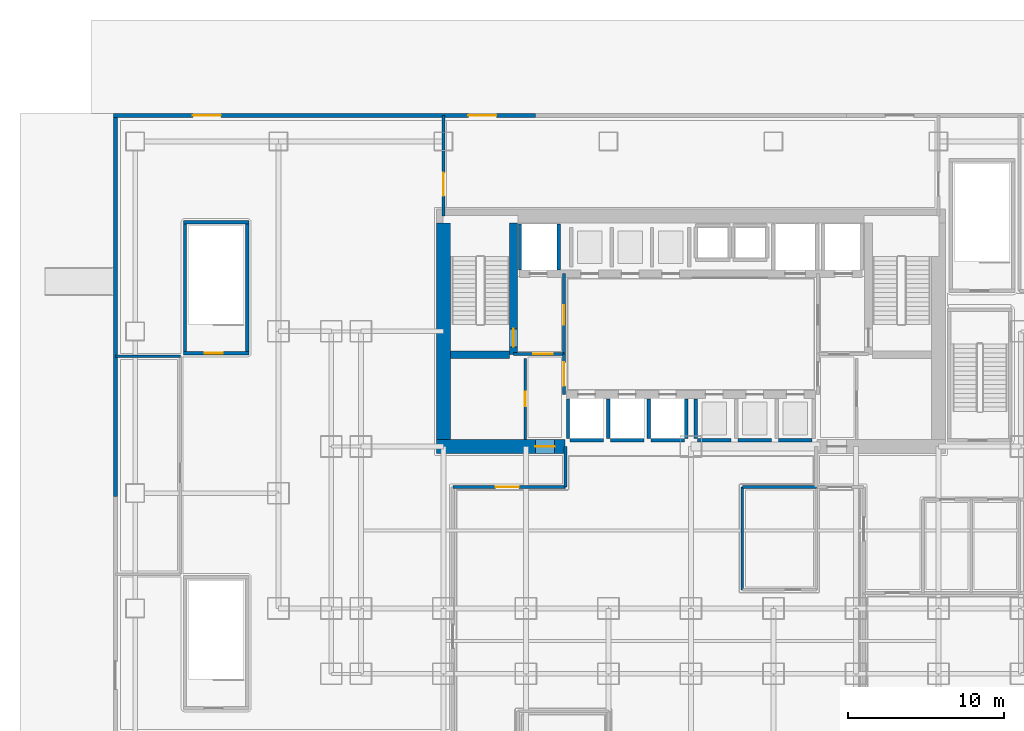
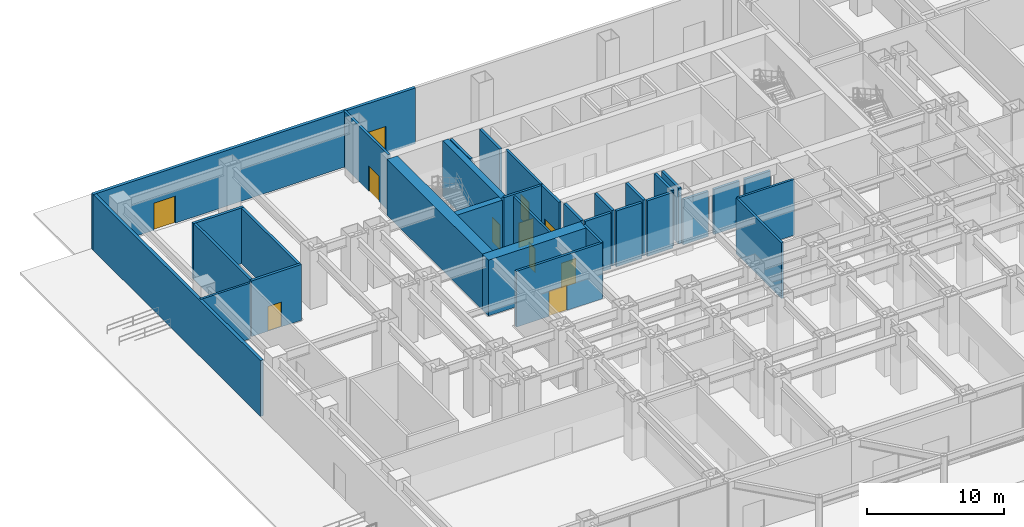
# One storey, part 11 of 18: 33 walls, 11 doors, 11 openings.
"""IFC4 building model written with IfcOpenShell, lengths in metres."""

import ifcopenshell
import ifcopenshell.guid

model = None  # the IFC model being written
_history = None  # IfcOwnerHistory: only IFC2X3 demands one
_inside = {}  # id of a spatial element -> (the spatial element, [elements in it])
_under = {}  # id of a project, library or spatial element -> (it, [spatial elements below it])
_declared = {}  # id of a project -> (the project, [libraries it declares])
_typed = {}  # id of a type object -> (the type object, [elements of that type])
_made_of = {}  # id of a material, layer set ... -> (it, [elements and type objects made of it])


def new_model(schema):
    """Start an empty IFC model of exactly this schema.

    Asked for "IFC4X3", IfcOpenShell would pick the latest addendum, in which some entities
    have other attributes; the version numbers below select the first issue.
    IFC2X3 requires an IfcOwnerHistory on every rooted entity: one is made here for all.
    """
    global model, _history
    if schema == "IFC4X3":
        model = ifcopenshell.file(schema_version=(4, 3, 0, 0))
    else:
        model = ifcopenshell.file(schema=schema)
    _inside.clear()
    _under.clear()
    _declared.clear()
    _typed.clear()
    _made_of.clear()
    _history = None
    if model.schema == "IFC2X3":
        org = make("IfcOrganization", Name="unknown")
        user = make(
            "IfcPersonAndOrganization",
            ThePerson=make("IfcPerson", FamilyName="unknown"),
            TheOrganization=org,
        )
        app = make(
            "IfcApplication",
            ApplicationDeveloper=org,
            Version="unknown",
            ApplicationFullName="unknown",
            ApplicationIdentifier="unknown",
        )
        _history = make(
            "IfcOwnerHistory",
            OwningUser=user,
            OwningApplication=app,
            ChangeAction="ADDED",
            CreationDate=0,
        )
    return model


def make(cls, **values):
    """One entity of the class cls with the attributes given. An attribute that is None is left unset."""
    return model.create_entity(
        cls, **{name: value for name, value in values.items() if value is not None}
    )


def rooted(cls, **values):
    """An entity with a GlobalId (a new one), such as an element, a storey or a relation."""
    return make(cls, GlobalId=ifcopenshell.guid.new(), OwnerHistory=_history, **values)


def si_unit(unit_type, name, prefix=None):
    """IfcSIUnit, for example si_unit("LENGTHUNIT", "METRE", prefix="MILLI")."""
    return make("IfcSIUnit", UnitType=unit_type, Prefix=prefix, Name=name)


def assignment(units):
    """IfcUnitAssignment: the units of a project."""
    return None if units is None else make("IfcUnitAssignment", Units=units)


def point(xyz):
    """IfcCartesianPoint."""
    return None if xyz is None else make("IfcCartesianPoint", Coordinates=xyz)


def direction(xyz):
    """IfcDirection."""
    return None if xyz is None else make("IfcDirection", DirectionRatios=xyz)


def frame(location, z_axis=None, x_axis=None):
    """IfcAxis2Placement3D, a coordinate frame: its origin and axes. An axis left out is left unset."""
    return make(
        "IfcAxis2Placement3D",
        Location=point(location),
        Axis=direction(z_axis),
        RefDirection=direction(x_axis),
    )


def frame_2d(location, x_axis=None):
    """IfcAxis2Placement2D, a coordinate frame in the plane: its origin and x axis."""
    return make(
        "IfcAxis2Placement2D", Location=point(location), RefDirection=direction(x_axis)
    )


def origin():
    """The frame at (0, 0, 0) with its axes left unset."""
    return frame((0.0, 0.0, 0.0))


def place(relative_to, where):
    """IfcLocalPlacement: puts the frame where relative to a parent placement (None: the world)."""
    return make(
        "IfcLocalPlacement", PlacementRelTo=relative_to, RelativePlacement=where
    )


def context(
    kind, dimensions, precision=None, world=None, true_north=None, identifier=None
):
    """IfcGeometricRepresentationContext, for example the 3D "Model" context."""
    return make(
        "IfcGeometricRepresentationContext",
        ContextIdentifier=identifier,
        ContextType=kind,
        CoordinateSpaceDimension=dimensions,
        Precision=precision,
        WorldCoordinateSystem=world,
        TrueNorth=true_north,
    )


def subcontext(parent, identifier, kind, view, scale=None):
    """IfcGeometricRepresentationSubContext, for example "Body" below "Model"."""
    return make(
        "IfcGeometricRepresentationSubContext",
        ContextIdentifier=identifier,
        ContextType=kind,
        ParentContext=parent,
        TargetScale=scale,
        TargetView=view,
    )


def project(units=None, contexts=None):
    """IfcProject with its units and contexts."""
    return rooted(
        "IfcProject",
        Name="project",
        RepresentationContexts=contexts,
        UnitsInContext=assignment(units),
    )


def spatial(cls, under=None, at=None, **own):
    """A site, building, storey or space (cls), placed at a placement, below another one or the project."""
    s = rooted(cls, ObjectPlacement=at, **own)
    if under is not None:
        _under.setdefault(under.id(), (under, []))[1].append(s)
    return s


def profile(cls, at=None, kind="AREA", **sizes):
    """A parametric profile (cls). Its sizes go by their IFC names, for example OverallWidth=200.0."""
    return make(cls, ProfileType=kind, Position=at, **sizes)


def rectangle(**sizes):
    """IfcRectangleProfileDef."""
    return profile("IfcRectangleProfileDef", **sizes)


def extrude(swept, where, along, depth):
    """IfcExtrudedAreaSolid: the profile swept, set in the frame where, extruded along a direction by depth."""
    return make(
        "IfcExtrudedAreaSolid",
        SweptArea=swept,
        Position=where,
        ExtrudedDirection=direction(along),
        Depth=depth,
    )


def shape(context_of_items, identifier, shape_type, items):
    """IfcShapeRepresentation: the items that make up one representation, for example the "Body"."""
    return make(
        "IfcShapeRepresentation",
        ContextOfItems=context_of_items,
        RepresentationIdentifier=identifier,
        RepresentationType=shape_type,
        Items=items,
    )


def material(Name=None, Category=None):
    """IfcMaterial."""
    return make("IfcMaterial", Name=Name, Category=Category)


def layer(
    of_material, thickness, ventilated=None, Name=None, Category=None, Priority=None
):
    """IfcMaterialLayer: one layer of a wall or slab, of a material (None: an air gap)."""
    return make(
        "IfcMaterialLayer",
        Material=of_material,
        LayerThickness=thickness,
        IsVentilated=ventilated,
        Name=Name,
        Category=Category,
        Priority=Priority,
    )


def layer_set(layers, Name=None):
    """IfcMaterialLayerSet."""
    return make("IfcMaterialLayerSet", MaterialLayers=layers, LayerSetName=Name)


def made_of(thing, what):
    """Note that an element or type object is made of a material, layer set ...; save() writes the relation."""
    if what is not None:
        _made_of.setdefault(what.id(), (what, []))[1].append(thing)
    return thing


def type_object(cls, material=None, **own):
    """A type object (cls), such as IfcWallType, which elements share."""
    return made_of(rooted(cls, **own), material)


def element(
    cls,
    number,
    at=None,
    inside=None,
    cuts=None,
    type_object=None,
    material=None,
    context=None,
    identifier="Body",
    shape_type=None,
    held_by="IfcProductDefinitionShape",
    body=None,
    shapes=None,
    **own,
):
    """One element of the class cls, such as IfcWall. Its Tag is "e" and its number.

    at: its placement. inside: the storey or other place that contains it. cuts: it is an
    opening in that element (IfcRelVoidsElement). A single representation is given by context,
    identifier, shape_type and body (its items); several are given by shapes. held_by: the class
    of the entity that holds the representations. save() writes the other relations.
    """
    e = rooted(cls, Tag="e%d" % number, ObjectPlacement=at, **own)
    if body is not None:
        shapes = [shape(context, identifier, shape_type, body)]
    if shapes is not None:
        e.Representation = make(held_by, Representations=shapes)
    if inside is not None:
        _inside.setdefault(inside.id(), (inside, []))[1].append(e)
    if cuts is not None:
        rooted(
            "IfcRelVoidsElement", RelatingBuildingElement=cuts, RelatedOpeningElement=e
        )
    if type_object is not None:
        _typed.setdefault(type_object.id(), (type_object, []))[1].append(e)
    return made_of(e, material)


def fill(opening, filler):
    """IfcRelFillsElement: the door or window that sits in an opening."""
    return rooted(
        "IfcRelFillsElement",
        RelatingOpeningElement=opening,
        RelatedBuildingElement=filler,
    )


def aggregate(whole, parts):
    """IfcRelAggregates: a whole, such as a stair, and the parts it consists of."""
    return rooted("IfcRelAggregates", RelatingObject=whole, RelatedObjects=parts)


def save(model, path):
    """Write the relations noted so far, then the file.

    IfcRelAggregates (storeys below a building ...), IfcRelContainedInSpatialStructure (elements
    in a storey), IfcRelDefinesByType, IfcRelAssociatesMaterial and IfcRelDeclares: one each for
    every whole, place, type object, material and project.
    """
    for whole, parts in _under.values():
        aggregate(whole, parts)
    for where, things in _inside.values():
        rooted(
            "IfcRelContainedInSpatialStructure",
            RelatedElements=things,
            RelatingStructure=where,
        )
    for kind, things in _typed.values():
        rooted("IfcRelDefinesByType", RelatedObjects=things, RelatingType=kind)
    for what, things in _made_of.values():
        rooted("IfcRelAssociatesMaterial", RelatedObjects=things, RelatingMaterial=what)
    for by, libraries in _declared.values():
        rooted("IfcRelDeclares", RelatingContext=by, RelatedDefinitions=libraries)
    model.write(path)


model = new_model("IFC4")

# Units and contexts
model_context = context("Model", 3, precision=1e-05, world=origin(), true_north=direction((0.0, 1.0)))
body_context = subcontext(model_context, "Body", "Model", "MODEL_VIEW")
ifc_project = project(units=[si_unit("LENGTHUNIT", "METRE"), si_unit("AREAUNIT", "SQUARE_METRE"), si_unit("VOLUMEUNIT", "CUBIC_METRE"), si_unit("PLANEANGLEUNIT", "RADIAN"), si_unit("MASSUNIT", "GRAM", prefix="KILO")], contexts=[model_context])

# Site, building, storey
site_placement = place(None, origin())
site = spatial("IfcSite", under=ifc_project, at=site_placement, CompositionType="ELEMENT")
building_placement = place(site_placement, origin())
building = spatial("IfcBuilding", under=site, at=building_placement, Name="Qianlan Lanfeng Residences", CompositionType="ELEMENT")
storey_placement = place(building_placement, origin())
storey = spatial("IfcBuildingStorey", under=building, at=storey_placement, Name="L00", CompositionType="ELEMENT", Elevation=0.0)

# Wall, opening, door
ifc_material_1 = material(Name="Concrete C70", Category="concrete")
ifc_layer_1 = layer(ifc_material_1, 0.5)
ifc_layer_set_1 = layer_set([ifc_layer_1], Name="Concrete C70")
wall_type_1 = type_object("IfcWallType", Name="CW-RC-500", PredefinedType="SHEAR", material=ifc_layer_set_1)
wall_1_placement = place(storey_placement, frame((15.10009765625, 31.10009765625, 0.0), z_axis=(0.0, 0.0, 1.0), x_axis=(0.0, 1.0, 0.0)))
wall_1 = element("IfcWall", 1, at=wall_1_placement, inside=storey, type_object=wall_type_1, Name="L00 Core Shear Wall ST1E", PredefinedType="SHEAR", context=body_context, shape_type="SweptSolid", body=[
    extrude(rectangle(XDim=8.449951171875, YDim=0.5, at=frame_2d((4.22509765625, 0.0))), origin(), (0.0, 0.0, 1.0), 4.949951171875),
])
opening_1_placement = place(wall_1_placement, frame((0.510009765625, 0.0, 0.0)))
opening_1 = element("IfcOpeningElement", 2, at=opening_1_placement, cuts=wall_1, Name="Opening L00-D07", PredefinedType="OPENING", context=body_context, shape_type="SweptSolid", body=[
    extrude(rectangle(XDim=1.14990234375, YDim=2.199951171875, at=frame_2d((0.574951171875, 1.10009765625))), frame((0.0, 0.260009765625, 0.0), z_axis=(0.0, -1.0, 0.0), x_axis=(1.0, 0.0, 0.0)), (0.0, 0.0, 1.0), 0.52001953125),
])
ifc_material_2 = material(Name="Painted Galvanised Steel Fire Door", Category="steel")
door_type_1 = type_object("IfcDoorType", Name="DT-ST1", OperationType="NOTDEFINED", PredefinedType="DOOR", material=ifc_material_2)
door_1_placement = place(opening_1_placement, frame((1.14990234375, 0.0, 0.0), z_axis=(0.0, 0.0, 1.0), x_axis=(-1.0, 0.0, 0.0)))
door_1 = element("IfcDoor", 3, at=door_1_placement, inside=storey, type_object=door_type_1, Name="L00 Exit Stair ST-1 Door L00-D07 (DT-ST1)", OperationType="SINGLE_SWING_RIGHT", OverallHeight=2.199951171875, OverallWidth=1.14990234375, PredefinedType="DOOR", context=body_context, shape_type="SweptSolid", body=[
    extrude(rectangle(XDim=1.14990234375, YDim=2.199951171875, at=frame_2d((0.574951171875, 1.10009765625))), frame((0.0, 0.02490234375, 0.0), z_axis=(0.0, -1.0, 0.0), x_axis=(1.0, 0.0, 0.0)), (0.0, 0.0, 1.0), 0.050048828125),
])
fill(opening_1, door_1)

# Walls
wall_2_placement = place(storey_placement, frame((11.050048828125, 31.10009765625, 0.0), z_axis=(0.0, 0.0, 1.0), x_axis=(1.0, 0.0, 0.0)))
element("IfcWall", 4, at=wall_2_placement, inside=storey, type_object=wall_type_1, Name="L00 Core Shear Wall ST1S", PredefinedType="SHEAR", context=body_context, shape_type="SweptSolid", body=[
    extrude(rectangle(XDim=3.800048828125, YDim=0.5, at=frame_2d((1.89990234375, 0.0))), origin(), (0.0, 0.0, 1.0), 4.949951171875),
])
ifc_layer_2 = layer(ifc_material_1, 0.89990234375)
ifc_layer_set_2 = layer_set([ifc_layer_2], Name="Concrete C70")
wall_type_2 = type_object("IfcWallType", Name="CW-RC-900", PredefinedType="SHEAR", material=ifc_layer_set_2)
wall_3_placement = place(storey_placement, frame((10.60009765625, 25.64990234375, 0.0), z_axis=(0.0, 0.0, 1.0), x_axis=(0.0, 1.0, 0.0)))
element("IfcWall", 5, at=wall_3_placement, inside=storey, type_object=wall_type_2, Name="L00 Core Shear Wall W", PredefinedType="SHEAR", context=body_context, shape_type="SweptSolid", body=[
    extrude(rectangle(XDim=13.900146484375, YDim=0.89990234375, at=frame_2d((6.9501953125, 0.0))), origin(), (0.0, 0.0, 1.0), 4.949951171875),
])

# Wall, opening, door
wall_4_placement = place(storey_placement, frame((10.14990234375, 25.199951171875, 0.0), z_axis=(0.0, 0.0, 1.0), x_axis=(1.0, 0.0, 0.0)))
wall_4 = element("IfcWall", 6, at=wall_4_placement, inside=storey, type_object=wall_type_2, Name="L00 Core Shear Wall SW", PredefinedType="SHEAR", context=body_context, shape_type="SweptSolid", body=[
    extrude(rectangle(XDim=8.25, YDim=0.89990234375, at=frame_2d((4.125, 0.0))), origin(), (0.0, 0.0, 1.0), 4.949951171875),
])
opening_2_placement = place(wall_4_placement, frame((6.35009765625, 0.0, 0.0)))
opening_2 = element("IfcOpeningElement", 7, at=opening_2_placement, cuts=wall_4, Name="Opening L00-D01", PredefinedType="OPENING", context=body_context, shape_type="SweptSolid", body=[
    extrude(rectangle(XDim=1.25, YDim=2.199951171875, at=frame_2d((0.625, 1.10009765625))), frame((0.0, 0.4599609375, 0.0), z_axis=(0.0, -1.0, 0.0), x_axis=(1.0, 0.0, 0.0)), (0.0, 0.0, 1.0), 0.919921875),
])
door_type_2 = type_object("IfcDoorType", Name="DT-FFL", OperationType="NOTDEFINED", PredefinedType="DOOR", material=ifc_material_2)
door_2_placement = place(opening_2_placement, frame((1.25, 0.0, 0.0), z_axis=(0.0, 0.0, 1.0), x_axis=(-1.0, 0.0, 0.0)))
door_2 = element("IfcDoor", 8, at=door_2_placement, inside=storey, type_object=door_type_2, Name="L00 West Core Lobby Smoke Door L00-D01 (DT-FFL)", OperationType="SINGLE_SWING_RIGHT", OverallHeight=2.199951171875, OverallWidth=1.25, PredefinedType="DOOR", context=body_context, shape_type="SweptSolid", body=[
    extrude(rectangle(XDim=1.25, YDim=2.199951171875, at=frame_2d((0.625, 1.10009765625))), frame((0.0, 0.02490234375, 0.0), z_axis=(0.0, -1.0, 0.0), x_axis=(1.0, 0.0, 0.0)), (0.0, 0.0, 1.0), 0.050048828125),
])
fill(opening_2, door_2)

# Wall, openings, doors
ifc_material_3 = material(Name="Concrete C42", Category="concrete")
ifc_layer_3 = layer(ifc_material_3, 0.260009765625)
ifc_layer_set_3 = layer_set([ifc_layer_3], Name="Concrete C42")
wall_type_3 = type_object("IfcWallType", Name="EW-260", PredefinedType="SOLIDWALL", material=ifc_layer_set_3)
wall_5_placement = place(storey_placement, frame((16.5, 46.469970703125, 0.0), z_axis=(0.0, 0.0, 1.0), x_axis=(-1.0, 0.0, 0.0)))
wall_5 = element("IfcWall", 9, at=wall_5_placement, inside=storey, type_object=wall_type_3, Name="L00 North-West Exit and Service Exterior Wall", PredefinedType="SOLIDWALL", context=body_context, shape_type="SweptSolid", body=[
    extrude(rectangle(XDim=27.10009765625, YDim=0.260009765625, at=frame_2d((13.550048828125, 0.0))), origin(), (0.0, 0.0, 1.0), 4.949951171875),
])
opening_3_placement = place(wall_5_placement, frame((2.5, 0.0, 0.0)))
opening_3 = element("IfcOpeningElement", 10, at=opening_3_placement, cuts=wall_5, Name="Opening L00-D-EX02", PredefinedType="OPENING", context=body_context, shape_type="SweptSolid", body=[
    extrude(rectangle(XDim=1.800048828125, YDim=2.39990234375, at=frame_2d((0.89990234375, 1.199951171875))), frame((0.0, 0.14013671875, 0.0), z_axis=(0.0, -1.0, 0.0), x_axis=(1.0, 0.0, 0.0)), (0.0, 0.0, 1.0), 0.280029296875),
])
opening_4_placement = place(wall_5_placement, frame((20.199951171875, 0.0, 0.0)))
opening_4 = element("IfcOpeningElement", 11, at=opening_4_placement, cuts=wall_5, Name="Opening L00-D-EX03", PredefinedType="OPENING", context=body_context, shape_type="SweptSolid", body=[
    extrude(rectangle(XDim=1.800048828125, YDim=2.39990234375, at=frame_2d((0.89990234375, 1.199951171875))), frame((0.0, 0.14013671875, 0.0), z_axis=(0.0, -1.0, 0.0), x_axis=(1.0, 0.0, 0.0)), (0.0, 0.0, 1.0), 0.280029296875),
])
ifc_material_4 = material(Name="Anodised Bronze Aluminium Framed Glass", Category="aluminium")
door_type_3 = type_object("IfcDoorType", Name="DT-EX1", OperationType="NOTDEFINED", PredefinedType="DOOR", material=ifc_material_4)
door_3_placement = place(opening_3_placement, frame((1.800048828125, 0.0, 0.0), z_axis=(0.0, 0.0, 1.0), x_axis=(-1.0, 0.0, 0.0)))
door_3 = element("IfcDoor", 12, at=door_3_placement, inside=storey, type_object=door_type_3, Name="L00 Exterior Door L00-D-EX02", OperationType="DOUBLE_DOOR_SINGLE_SWING", OverallHeight=2.39990234375, OverallWidth=1.800048828125, PredefinedType="DOOR", context=body_context, shape_type="SweptSolid", body=[
    extrude(rectangle(XDim=1.800048828125, YDim=2.39990234375, at=frame_2d((0.89990234375, 1.199951171875))), frame((0.0, 0.02490234375, 0.0), z_axis=(0.0, -1.0, 0.0), x_axis=(1.0, 0.0, 0.0)), (0.0, 0.0, 1.0), 0.050048828125),
])
fill(opening_3, door_3)
door_4_placement = place(opening_4_placement, frame((1.800048828125, 0.0, 0.0), z_axis=(0.0, 0.0, 1.0), x_axis=(-1.0, 0.0, 0.0)))
door_4 = element("IfcDoor", 13, at=door_4_placement, inside=storey, type_object=door_type_3, Name="L00 Exterior Door L00-D-EX03", OperationType="DOUBLE_DOOR_SINGLE_SWING", OverallHeight=2.39990234375, OverallWidth=1.800048828125, PredefinedType="DOOR", context=body_context, shape_type="SweptSolid", body=[
    extrude(rectangle(XDim=1.800048828125, YDim=2.39990234375, at=frame_2d((0.89990234375, 1.199951171875))), frame((0.0, 0.02490234375, 0.0), z_axis=(0.0, -1.0, 0.0), x_axis=(1.0, 0.0, 0.0)), (0.0, 0.0, 1.0), 0.050048828125),
])
fill(opening_4, door_4)

# Wall
wall_6_placement = place(storey_placement, frame((-10.469970703125, 46.340087890625, 0.0), z_axis=(0.0, 0.0, 1.0), x_axis=(0.0, -1.0, 0.0)))
element("IfcWall", 14, at=wall_6_placement, inside=storey, type_object=wall_type_3, Name="L00 West Service Flank Wall", PredefinedType="SOLIDWALL", context=body_context, shape_type="SweptSolid", body=[
    extrude(rectangle(XDim=24.340087890625, YDim=0.260009765625, at=frame_2d((12.169921875, 0.0))), origin(), (0.0, 0.0, 1.0), 4.949951171875),
])

# Wall, opening, door
ifc_material_5 = material(Name="Double-Layer Acoustic Gypsum Stud Wall 180 mm")
ifc_layer_4 = layer(ifc_material_5, 0.179931640625)
ifc_layer_set_4 = layer_set([ifc_layer_4], Name="Double-Layer Acoustic Gypsum Stud Wall 180 mm")
wall_type_4 = type_object("IfcWallType", Name="PW-180", PredefinedType="PARTITIONING", material=ifc_layer_set_4)
wall_7_placement = place(storey_placement, frame((15.85009765625, 25.64990234375, 0.0), z_axis=(0.0, 0.0, 1.0), x_axis=(0.0, 1.0, 0.0)))
wall_7 = element("IfcWall", 15, at=wall_7_placement, inside=storey, type_object=wall_type_4, Name="L00 Core West Service Room Wall", PredefinedType="PARTITIONING", context=body_context, shape_type="SweptSolid", body=[
    extrude(rectangle(XDim=5.2001953125, YDim=0.179931640625, at=frame_2d((2.60009765625, 0.0))), origin(), (0.0, 0.0, 1.0), 4.949951171875),
])
opening_5_placement = place(wall_7_placement, frame((2.139892578125, 0.0, 0.0)))
opening_5 = element("IfcOpeningElement", 16, at=opening_5_placement, cuts=wall_7, Name="Opening L00-D09", PredefinedType="OPENING", context=body_context, shape_type="SweptSolid", body=[
    extrude(rectangle(XDim=0.919921875, YDim=2.14990234375, at=frame_2d((0.4599609375, 1.074951171875))), frame((0.0, 0.10009765625, 0.0), z_axis=(0.0, -1.0, 0.0), x_axis=(1.0, 0.0, 0.0)), (0.0, 0.0, 1.0), 0.199951171875),
])
ifc_material_6 = material(Name="Glazed Timber Kitchen/Study Door", Category="wood")
door_type_4 = type_object("IfcDoorType", Name="DT-INT", OperationType="NOTDEFINED", PredefinedType="DOOR", material=ifc_material_6)
door_5_placement = place(opening_5_placement, origin())
door_5 = element("IfcDoor", 17, at=door_5_placement, inside=storey, type_object=door_type_4, Name="L00 Core Storage Door L00-D09 (DT-INT)", OperationType="SINGLE_SWING_LEFT", OverallHeight=2.14990234375, OverallWidth=0.919921875, PredefinedType="DOOR", context=body_context, shape_type="SweptSolid", body=[
    extrude(rectangle(XDim=0.919921875, YDim=2.14990234375, at=frame_2d((0.4599609375, 1.074951171875))), frame((0.0, 0.02490234375, 0.0), z_axis=(0.0, -1.0, 0.0), x_axis=(1.0, 0.0, 0.0)), (0.0, 0.0, 1.0), 0.050048828125),
])
fill(opening_5, door_5)

# Walls
wall_8_placement = place(storey_placement, frame((29.800048828125, 16.0, 0.0), z_axis=(0.0, 0.0, 1.0), x_axis=(0.0, 1.0, 0.0)))
element("IfcWall", 18, at=wall_8_placement, inside=storey, type_object=wall_type_4, Name="L00 Mail Room West Wall", PredefinedType="PARTITIONING", context=body_context, shape_type="SweptSolid", body=[
    extrude(rectangle(XDim=6.60009765625, YDim=0.179931640625, at=frame_2d((3.300048828125, 0.0))), origin(), (0.0, 0.0, 1.0), 4.949951171875),
])
wall_9_placement = place(storey_placement, frame((29.800048828125, 22.60009765625, 0.0), z_axis=(0.0, 0.0, 1.0), x_axis=(1.0, 0.0, 0.0)))
element("IfcWall", 19, at=wall_9_placement, inside=storey, type_object=wall_type_4, Name="L00 Mail Room North Wall", PredefinedType="PARTITIONING", context=body_context, shape_type="SweptSolid", body=[
    extrude(rectangle(XDim=4.75, YDim=0.179931640625, at=frame_2d((2.375, 0.0))), origin(), (0.0, 0.0, 1.0), 4.949951171875),
])
wall_10_placement = place(storey_placement, frame((-10.469970703125, 31.0, 0.0), z_axis=(0.0, 0.0, 1.0), x_axis=(1.0, 0.0, 0.0)))
element("IfcWall", 20, at=wall_10_placement, inside=storey, type_object=wall_type_4, Name="L00 Bicycle Room North Wall", PredefinedType="PARTITIONING", context=body_context, shape_type="SweptSolid", body=[
    extrude(rectangle(XDim=4.169921875, YDim=0.179931640625, at=frame_2d((2.0849609375, 0.0))), origin(), (0.0, 0.0, 1.0), 4.949951171875),
])

# Wall, opening, door
ifc_material_7 = material(Name="Autoclaved Aerated Concrete Blockwork 200 mm", Category="masonry")
ifc_layer_5 = layer(ifc_material_7, 0.199951171875)
ifc_layer_set_5 = layer_set([ifc_layer_5], Name="Autoclaved Aerated Concrete Blockwork 200 mm")
wall_type_5 = type_object("IfcWallType", Name="PW-200", PredefinedType="PARTITIONING", material=ifc_layer_set_5)
wall_11_placement = place(storey_placement, frame((15.10009765625, 31.14990234375, 0.0), z_axis=(0.0, 0.0, 1.0), x_axis=(1.0, 0.0, 0.0)))
wall_11 = element("IfcWall", 21, at=wall_11_placement, inside=storey, type_object=wall_type_5, Name="L00 Firefighting Lobby 1 South Wall", PredefinedType="PARTITIONING", context=body_context, shape_type="SweptSolid", body=[
    extrude(rectangle(XDim=3.25, YDim=0.199951171875, at=frame_2d((1.625, 0.0))), origin(), (0.0, 0.0, 1.0), 4.949951171875),
])
opening_6_placement = place(wall_11_placement, frame((1.27490234375, 0.0, 0.0)))
opening_6 = element("IfcOpeningElement", 22, at=opening_6_placement, cuts=wall_11, Name="Opening L00-D03", PredefinedType="OPENING", context=body_context, shape_type="SweptSolid", body=[
    extrude(rectangle(XDim=1.25, YDim=2.199951171875, at=frame_2d((0.625, 1.10009765625))), frame((0.0, 0.10986328125, 0.0), z_axis=(0.0, -1.0, 0.0), x_axis=(1.0, 0.0, 0.0)), (0.0, 0.0, 1.0), 0.219970703125),
])
door_6_placement = place(opening_6_placement, origin())
door_6 = element("IfcDoor", 23, at=door_6_placement, inside=storey, type_object=door_type_2, Name="L00 Firefighting Lobby 1 Entry Door L00-D03 (DT-FFL)", OperationType="SINGLE_SWING_LEFT", OverallHeight=2.199951171875, OverallWidth=1.25, PredefinedType="DOOR", context=body_context, shape_type="SweptSolid", body=[
    extrude(rectangle(XDim=1.25, YDim=2.199951171875, at=frame_2d((0.625, 1.10009765625))), frame((0.0, 0.02490234375, 0.0), z_axis=(0.0, -1.0, 0.0), x_axis=(1.0, 0.0, 0.0)), (0.0, 0.0, 1.0), 0.050048828125),
])
fill(opening_6, door_6)

wall_12_placement = place(storey_placement, frame((18.35009765625, 31.14990234375, 0.0), z_axis=(0.0, 0.0, 1.0), x_axis=(0.0, 1.0, 0.0)))
wall_12 = element("IfcWall", 24, at=wall_12_placement, inside=storey, type_object=wall_type_5, Name="L00 Firefighting Lobby 1 East Wall", PredefinedType="PARTITIONING", context=body_context, shape_type="SweptSolid", body=[
    extrude(rectangle(XDim=5.150146484375, YDim=0.199951171875, at=frame_2d((2.5751953125, 0.0))), origin(), (0.0, 0.0, 1.0), 4.949951171875),
])
opening_7_placement = place(wall_12_placement, frame((1.875, 0.0, 0.0)))
opening_7 = element("IfcOpeningElement", 25, at=opening_7_placement, cuts=wall_12, Name="Opening L00-D04", PredefinedType="OPENING", context=body_context, shape_type="SweptSolid", body=[
    extrude(rectangle(XDim=1.25, YDim=2.199951171875, at=frame_2d((0.625, 1.10009765625))), frame((0.0, 0.10986328125, 0.0), z_axis=(0.0, -1.0, 0.0), x_axis=(1.0, 0.0, 0.0)), (0.0, 0.0, 1.0), 0.219970703125),
])
door_7_placement = place(opening_7_placement, origin())
door_7 = element("IfcDoor", 26, at=door_7_placement, inside=storey, type_object=door_type_2, Name="L00 Firefighting Lobby 1 Lift Lobby Door L00-D04 (DT-FFL)", OperationType="SINGLE_SWING_RIGHT", OverallHeight=2.199951171875, OverallWidth=1.25, PredefinedType="DOOR", context=body_context, shape_type="SweptSolid", body=[
    extrude(rectangle(XDim=1.25, YDim=2.199951171875, at=frame_2d((0.625, 1.10009765625))), frame((0.0, 0.02490234375, 0.0), z_axis=(0.0, -1.0, 0.0), x_axis=(1.0, 0.0, 0.0)), (0.0, 0.0, 1.0), 0.050048828125),
])
fill(opening_7, door_7)

wall_13_placement = place(storey_placement, frame((18.35009765625, 28.550048828125, 0.0), z_axis=(0.0, 0.0, 1.0), x_axis=(0.0, 1.0, 0.0)))
wall_13 = element("IfcWall", 27, at=wall_13_placement, inside=storey, type_object=wall_type_5, Name="L00 Lift Lobby West Connector Wall", PredefinedType="PARTITIONING", context=body_context, shape_type="SweptSolid", body=[
    extrude(rectangle(XDim=2.599853515625, YDim=0.199951171875, at=frame_2d((1.2998046875, 0.0))), origin(), (0.0, 0.0, 1.0), 4.949951171875),
])
opening_8_placement = place(wall_13_placement, frame((0.550048828125, 0.0, 0.0)))
opening_8 = element("IfcOpeningElement", 28, at=opening_8_placement, cuts=wall_13, Name="Opening L00-D15", PredefinedType="OPENING", context=body_context, shape_type="SweptSolid", body=[
    extrude(rectangle(XDim=1.5, YDim=2.25, at=frame_2d((0.75, 1.125))), frame((0.0, 0.10986328125, 0.0), z_axis=(0.0, -1.0, 0.0), x_axis=(1.0, 0.0, 0.0)), (0.0, 0.0, 1.0), 0.219970703125),
])
ifc_material_8 = material(Name="Timber Veneer Acoustic Fire Door", Category="wood")
door_type_5 = type_object("IfcDoorType", Name="DT-COR1", OperationType="NOTDEFINED", PredefinedType="DOOR", material=ifc_material_8)
door_8_placement = place(opening_8_placement, origin())
door_8 = element("IfcDoor", 29, at=door_8_placement, inside=storey, type_object=door_type_5, Name="L00 Lift Lobby West Portal Door L00-D15 (DT-COR1)", OperationType="DOUBLE_DOOR_SINGLE_SWING", OverallHeight=2.25, OverallWidth=1.5, PredefinedType="DOOR", context=body_context, shape_type="SweptSolid", body=[
    extrude(rectangle(XDim=1.5, YDim=2.25, at=frame_2d((0.75, 1.125))), frame((0.0, 0.02490234375, 0.0), z_axis=(0.0, -1.0, 0.0), x_axis=(1.0, 0.0, 0.0)), (0.0, 0.0, 1.0), 0.050048828125),
])
fill(opening_8, door_8)

wall_14_placement = place(storey_placement, frame((11.199951171875, 22.60009765625, 0.0), z_axis=(0.0, 0.0, 1.0), x_axis=(1.0, 0.0, 0.0)))
wall_14 = element("IfcWall", 30, at=wall_14_placement, inside=storey, type_object=wall_type_5, Name="L00 ST-1 Protected Exit Vestibule South Wall", PredefinedType="PARTITIONING", context=body_context, shape_type="SweptSolid", body=[
    extrude(rectangle(XDim=7.25, YDim=0.199951171875, at=frame_2d((3.625, 0.0))), origin(), (0.0, 0.0, 1.0), 4.949951171875),
])
opening_9_placement = place(wall_14_placement, frame((2.75, 0.0, 0.0)))
opening_9 = element("IfcOpeningElement", 31, at=opening_9_placement, cuts=wall_14, Name="Opening L00-D21", PredefinedType="OPENING", context=body_context, shape_type="SweptSolid", body=[
    extrude(rectangle(XDim=1.5, YDim=2.25, at=frame_2d((0.75, 1.125))), frame((0.0, 0.10986328125, 0.0), z_axis=(0.0, -1.0, 0.0), x_axis=(1.0, 0.0, 0.0)), (0.0, 0.0, 1.0), 0.219970703125),
])
door_9_placement = place(opening_9_placement, origin())
door_9 = element("IfcDoor", 32, at=door_9_placement, inside=storey, type_object=door_type_5, Name="L00 West Core Lobby Concierge Door L00-D21 (DT-COR1)", OperationType="DOUBLE_DOOR_SINGLE_SWING", OverallHeight=2.25, OverallWidth=1.5, PredefinedType="DOOR", context=body_context, shape_type="SweptSolid", body=[
    extrude(rectangle(XDim=1.5, YDim=2.25, at=frame_2d((0.75, 1.125))), frame((0.0, 0.02490234375, 0.0), z_axis=(0.0, -1.0, 0.0), x_axis=(1.0, 0.0, 0.0)), (0.0, 0.0, 1.0), 0.050048828125),
])
fill(opening_9, door_9)

# Wall
wall_15_placement = place(storey_placement, frame((18.449951171875, 22.60009765625, 0.0), z_axis=(0.0, 0.0, 1.0), x_axis=(0.0, 1.0, 0.0)))
element("IfcWall", 33, at=wall_15_placement, inside=storey, type_object=wall_type_5, Name="L00 ST-1 Protected Exit Vestibule East Wall", PredefinedType="PARTITIONING", context=body_context, shape_type="SweptSolid", body=[
    extrude(rectangle(XDim=2.599853515625, YDim=0.199951171875, at=frame_2d((1.2998046875, 0.0))), origin(), (0.0, 0.0, 1.0), 4.949951171875),
])

# Wall, opening, door
wall_16_placement = place(storey_placement, frame((10.60009765625, 40.0, 0.0), z_axis=(0.0, 0.0, 1.0), x_axis=(0.0, 1.0, 0.0)))
wall_16 = element("IfcWall", 34, at=wall_16_placement, inside=storey, type_object=wall_type_5, Name="L00 North Passage West Wall", PredefinedType="PARTITIONING", context=body_context, shape_type="SweptSolid", body=[
    extrude(rectangle(XDim=6.469970703125, YDim=0.199951171875, at=frame_2d((3.23486328125, 0.0))), origin(), (0.0, 0.0, 1.0), 4.949951171875),
])
opening_10_placement = place(wall_16_placement, frame((1.300048828125, 0.0, 0.0)))
opening_10 = element("IfcOpeningElement", 35, at=opening_10_placement, cuts=wall_16, Name="Opening L00-D34", PredefinedType="OPENING", context=body_context, shape_type="SweptSolid", body=[
    extrude(rectangle(XDim=1.5, YDim=2.25, at=frame_2d((0.75, 1.125))), frame((0.0, 0.10986328125, 0.0), z_axis=(0.0, -1.0, 0.0), x_axis=(1.0, 0.0, 0.0)), (0.0, 0.0, 1.0), 0.219970703125),
])
door_10_placement = place(opening_10_placement, origin())
door_10 = element("IfcDoor", 36, at=door_10_placement, inside=storey, type_object=door_type_5, Name="L00 North Service Passage West Door L00-D34 (DT-COR1)", OperationType="DOUBLE_DOOR_SINGLE_SWING", OverallHeight=2.25, OverallWidth=1.5, PredefinedType="DOOR", context=body_context, shape_type="SweptSolid", body=[
    extrude(rectangle(XDim=1.5, YDim=2.25, at=frame_2d((0.75, 1.125))), frame((0.0, 0.02490234375, 0.0), z_axis=(0.0, -1.0, 0.0), x_axis=(1.0, 0.0, 0.0)), (0.0, 0.0, 1.0), 0.050048828125),
])
fill(opening_10, door_10)

# Walls
ifc_material_9 = material(Name="Concrete C49", Category="concrete")
ifc_layer_6 = layer(ifc_material_9, 0.219970703125)
ifc_layer_set_6 = layer_set([ifc_layer_6], Name="Concrete C49")
wall_type_6 = type_object("IfcWallType", Name="SHW-220", PredefinedType="SOLIDWALL", material=ifc_layer_set_6)
for number, where, z_axis, x_axis, name in (
    (37, (15.52001953125, 36.550048828125, 0.0), (0.0, 0.0, 1.0), (0.0, 1.0, 0.0), "L00 Lift FFL-1 Shaft Wall W"),
    (38, (18.0, 36.550048828125, 0.0), (0.0, 0.0, 1.0), (0.0, 1.0, 0.0), "L00 Lift FFL-1 Shaft Wall E"),
):
    element("IfcWall", number, at=place(storey_placement, frame(where, z_axis=z_axis, x_axis=x_axis)), inside=storey, type_object=wall_type_6, Name=name, PredefinedType="SOLIDWALL", context=body_context, shape_type="SweptSolid", body=[
        extrude(rectangle(XDim=2.929931640625, YDim=0.219970703125, at=frame_2d((1.46484375, 0.0))), origin(), (0.0, 0.0, 1.0), 4.949951171875),
    ])
wall_17_placement = place(storey_placement, frame((18.60009765625, 25.719970703125, 0.0), z_axis=(0.0, 0.0, 1.0), x_axis=(0.0, 1.0, 0.0)))
element("IfcWall", 39, at=wall_17_placement, inside=storey, type_object=wall_type_6, Name="L00 Lift PL-L1 Shaft Wall W", PredefinedType="SOLIDWALL", context=body_context, shape_type="SweptSolid", body=[
    extrude(rectangle(XDim=2.530029296875, YDim=0.219970703125, at=frame_2d((1.26513671875, 0.0))), origin(), (0.0, 0.0, 1.0), 4.949951171875),
])
wall_18_placement = place(storey_placement, frame((18.719970703125, 25.60009765625, 0.0), z_axis=(0.0, 0.0, 1.0), x_axis=(1.0, 0.0, 0.0)))
element("IfcWall", 40, at=wall_18_placement, inside=storey, type_object=wall_type_6, Name="L00 Lift PL-L1 Shaft Back Wall S", PredefinedType="SOLIDWALL", context=body_context, shape_type="SweptSolid", body=[
    extrude(rectangle(XDim=2.159912109375, YDim=0.219970703125, at=frame_2d((1.080078125, 0.0))), origin(), (0.0, 0.0, 1.0), 4.949951171875),
])
wall_19_placement = place(storey_placement, frame((21.199951171875, 25.719970703125, 0.0), z_axis=(0.0, 0.0, 1.0), x_axis=(0.0, 1.0, 0.0)))
element("IfcWall", 41, at=wall_19_placement, inside=storey, type_object=wall_type_6, Name="L00 Lift PL-L2 Shaft Wall W", PredefinedType="SOLIDWALL", context=body_context, shape_type="SweptSolid", body=[
    extrude(rectangle(XDim=2.530029296875, YDim=0.219970703125, at=frame_2d((1.26513671875, 0.0))), origin(), (0.0, 0.0, 1.0), 4.949951171875),
])
wall_20_placement = place(storey_placement, frame((21.320068359375, 25.60009765625, 0.0), z_axis=(0.0, 0.0, 1.0), x_axis=(1.0, 0.0, 0.0)))
element("IfcWall", 42, at=wall_20_placement, inside=storey, type_object=wall_type_6, Name="L00 Lift PL-L2 Shaft Back Wall S", PredefinedType="SOLIDWALL", context=body_context, shape_type="SweptSolid", body=[
    extrude(rectangle(XDim=2.159912109375, YDim=0.219970703125, at=frame_2d((1.080078125, 0.0))), origin(), (0.0, 0.0, 1.0), 4.949951171875),
])
for number, where, z_axis, x_axis, name in (
    (43, (23.800048828125, 25.719970703125, 0.0), (0.0, 0.0, 1.0), (0.0, 1.0, 0.0), "L00 Lift PL-L3 Shaft Wall W"),
    (44, (26.199951171875, 25.719970703125, 0.0), (0.0, 0.0, 1.0), (0.0, 1.0, 0.0), "L00 Lift PL-L3 Shaft Wall E"),
):
    element("IfcWall", number, at=place(storey_placement, frame(where, z_axis=z_axis, x_axis=x_axis)), inside=storey, type_object=wall_type_6, Name=name, PredefinedType="SOLIDWALL", context=body_context, shape_type="SweptSolid", body=[
        extrude(rectangle(XDim=2.530029296875, YDim=0.219970703125, at=frame_2d((1.26513671875, 0.0))), origin(), (0.0, 0.0, 1.0), 4.949951171875),
    ])
wall_21_placement = place(storey_placement, frame((23.919921875, 25.60009765625, 0.0), z_axis=(0.0, 0.0, 1.0), x_axis=(1.0, 0.0, 0.0)))
element("IfcWall", 45, at=wall_21_placement, inside=storey, type_object=wall_type_6, Name="L00 Lift PL-L3 Shaft Back Wall S", PredefinedType="SOLIDWALL", context=body_context, shape_type="SweptSolid", body=[
    extrude(rectangle(XDim=2.16015625, YDim=0.219970703125, at=frame_2d((1.080078125, 0.0))), origin(), (0.0, 0.0, 1.0), 4.949951171875),
])
wall_22_placement = place(storey_placement, frame((26.800048828125, 25.719970703125, 0.0), z_axis=(0.0, 0.0, 1.0), x_axis=(0.0, 1.0, 0.0)))
element("IfcWall", 46, at=wall_22_placement, inside=storey, type_object=wall_type_6, Name="L00 Lift PL-M1 Shaft Wall W", PredefinedType="SOLIDWALL", context=body_context, shape_type="SweptSolid", body=[
    extrude(rectangle(XDim=2.530029296875, YDim=0.219970703125, at=frame_2d((1.26513671875, 0.0))), origin(), (0.0, 0.0, 1.0), 4.949951171875),
])
wall_23_placement = place(storey_placement, frame((26.919921875, 25.60009765625, 0.0), z_axis=(0.0, 0.0, 1.0), x_axis=(1.0, 0.0, 0.0)))
element("IfcWall", 47, at=wall_23_placement, inside=storey, type_object=wall_type_6, Name="L00 Lift PL-M1 Shaft Back Wall S", PredefinedType="SOLIDWALL", context=body_context, shape_type="SweptSolid", body=[
    extrude(rectangle(XDim=2.16015625, YDim=0.219970703125, at=frame_2d((1.080078125, 0.0))), origin(), (0.0, 0.0, 1.0), 3.9951171875),
])
for number, where, z_axis, x_axis, name in (
    (48, (29.52001953125, 25.60009765625, 0.0), (0.0, 0.0, 1.0), (1.0, 0.0, 0.0), "L00 Lift PL-M2 Shaft Back Wall S"),
    (49, (32.1201171875, 25.60009765625, 0.0), (0.0, 0.0, 1.0), (1.0, 0.0, 0.0), "L00 Lift PL-M3 Shaft Back Wall S"),
):
    element("IfcWall", number, at=place(storey_placement, frame(where, z_axis=z_axis, x_axis=x_axis)), inside=storey, type_object=wall_type_6, Name=name, PredefinedType="SOLIDWALL", context=body_context, shape_type="SweptSolid", body=[
        extrude(rectangle(XDim=2.159912109375, YDim=0.219970703125, at=frame_2d((1.080078125, 0.0))), origin(), (0.0, 0.0, 1.0), 3.9951171875),
    ])
ifc_layer_7 = layer(ifc_material_9, 0.219970703125)
ifc_layer_set_7 = layer_set([ifc_layer_7], Name="Concrete C49")
wall_type_7 = type_object("IfcWallType", Name="STW-RC-220", PredefinedType="SHEAR", material=ifc_layer_set_7)
wall_24_placement = place(storey_placement, frame((-6.110107421875, 39.60009765625, 0.0), z_axis=(0.0, 0.0, 1.0), x_axis=(1.0, 0.0, 0.0)))
element("IfcWall", 50, at=wall_24_placement, inside=storey, type_object=wall_type_7, Name="L00 Stair ST-B1 Enclosure Wall N", PredefinedType="SHEAR", context=body_context, shape_type="SweptSolid", body=[
    extrude(rectangle(XDim=4.22021484375, YDim=0.219970703125, at=frame_2d((2.110107421875, 0.0))), origin(), (0.0, 0.0, 1.0), 4.949951171875),
])
for number, where, z_axis, x_axis, name in (
    (51, (-6.0, 31.31005859375, 0.0), (0.0, 0.0, 1.0), (0.0, 1.0, 0.0), "L00 Stair ST-B1 Enclosure Wall W"),
    (52, (-2.0, 31.31005859375, 0.0), (0.0, 0.0, 1.0), (0.0, 1.0, 0.0), "L00 Stair ST-B1 Enclosure Wall E"),
):
    element("IfcWall", number, at=place(storey_placement, frame(where, z_axis=z_axis, x_axis=x_axis)), inside=storey, type_object=wall_type_7, Name=name, PredefinedType="SHEAR", context=body_context, shape_type="SweptSolid", body=[
        extrude(rectangle(XDim=8.179931640625, YDim=0.219970703125, at=frame_2d((4.08984375, 0.0))), origin(), (0.0, 0.0, 1.0), 4.949951171875),
    ])

# Wall, opening, door
wall_25_placement = place(storey_placement, frame((-6.110107421875, 31.199951171875, 0.0), z_axis=(0.0, 0.0, 1.0), x_axis=(1.0, 0.0, 0.0)))
wall_25 = element("IfcWall", 53, at=wall_25_placement, inside=storey, type_object=wall_type_7, Name="L00 Stair ST-B1 Enclosure Wall S", PredefinedType="SHEAR", context=body_context, shape_type="SweptSolid", body=[
    extrude(rectangle(XDim=4.22021484375, YDim=0.219970703125, at=frame_2d((2.110107421875, 0.0))), origin(), (0.0, 0.0, 1.0), 4.949951171875),
])
opening_11_placement = place(wall_25_placement, frame((1.375, 0.0, 0.0)))
opening_11 = element("IfcOpeningElement", 54, at=opening_11_placement, cuts=wall_25, Name="Opening L00-D11", PredefinedType="OPENING", context=body_context, shape_type="SweptSolid", body=[
    extrude(rectangle(XDim=1.14990234375, YDim=2.199951171875, at=frame_2d((0.574951171875, 1.10009765625))), frame((0.0, 0.1201171875, 0.0), z_axis=(0.0, -1.0, 0.0), x_axis=(1.0, 0.0, 0.0)), (0.0, 0.0, 1.0), 0.239990234375),
])
door_11_placement = place(opening_11_placement, origin())
door_11 = element("IfcDoor", 55, at=door_11_placement, inside=storey, type_object=door_type_1, Name="L00 Exit Stair ST-B1 Door L00-D11 (DT-ST1)", OperationType="SINGLE_SWING_LEFT", OverallHeight=2.199951171875, OverallWidth=1.14990234375, PredefinedType="DOOR", context=body_context, shape_type="SweptSolid", body=[
    extrude(rectangle(XDim=1.14990234375, YDim=2.199951171875, at=frame_2d((0.574951171875, 1.10009765625))), frame((0.0, 0.02490234375, 0.0), z_axis=(0.0, -1.0, 0.0), x_axis=(1.0, 0.0, 0.0)), (0.0, 0.0, 1.0), 0.050048828125),
])
fill(opening_11, door_11)

save(model, "model.ifc")
